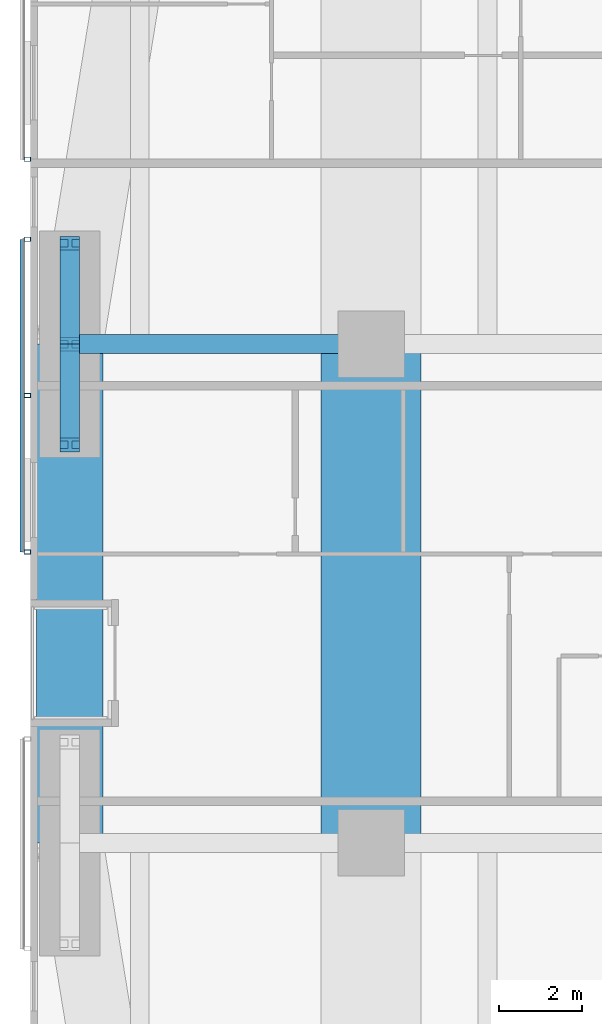
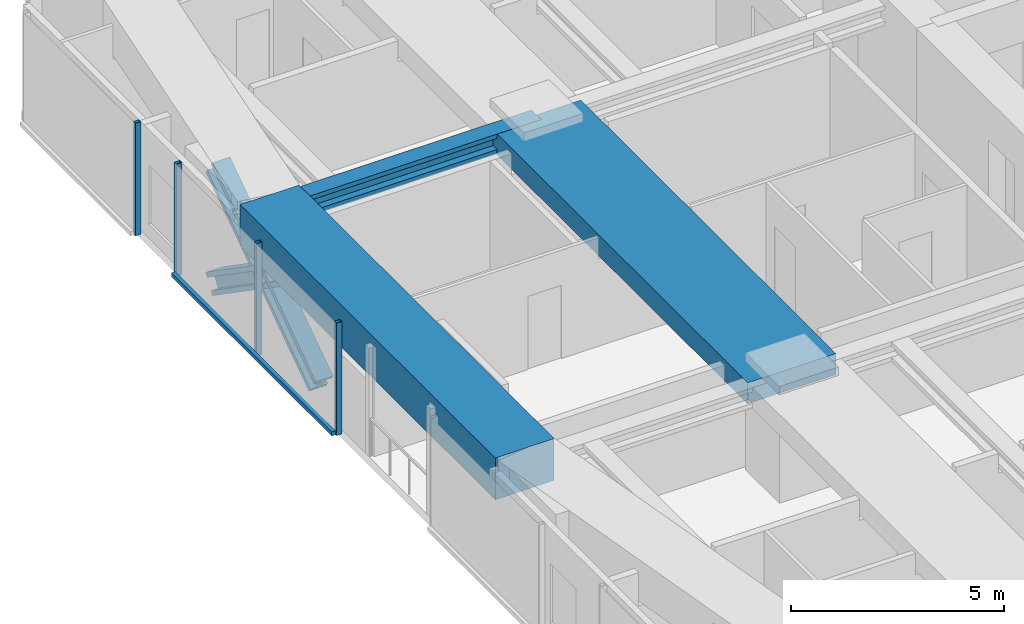
# One storey, part 6 of 23: 9 members, 3 beams, 2 elements without a shape of their own.
"""IFC4 building model written with IfcOpenShell, lengths in metres."""

from ifc_helpers import new_model, si_unit, direction, frame, origin, origin_2d, place, context, subcontext, project, spatial, rectangle, hollow_rectangle, i_section, extrude, material, material_profile, profile_set, type_object, element, aggregate, save


model = new_model("IFC4")

# Units and contexts
model_context = context("Model", 3, precision=1e-05, world=origin(), true_north=direction((0.0, 1.0)))
body_context = subcontext(model_context, "Body", "Model", "MODEL_VIEW")
ifc_project = project(units=[si_unit("LENGTHUNIT", "METRE"), si_unit("AREAUNIT", "SQUARE_METRE"), si_unit("VOLUMEUNIT", "CUBIC_METRE"), si_unit("PLANEANGLEUNIT", "RADIAN"), si_unit("MASSUNIT", "GRAM", prefix="KILO")], contexts=[model_context])

# Site, building, storey
site_placement = place(None, origin())
site = spatial("IfcSite", under=ifc_project, at=site_placement, CompositionType="ELEMENT")
building_placement = place(site_placement, origin())
building = spatial("IfcBuilding", under=site, at=building_placement, Name="Jalousie Tower", CompositionType="ELEMENT")
storey_placement = place(building_placement, frame((0.0, 0.0, 41.10009765625)))
storey = spatial("IfcBuildingStorey", under=building, at=storey_placement, Name="L10", CompositionType="ELEMENT", Elevation=41.10009765625)

# Beam
ifc_material_1 = material(Name="Steel ASTM A992 Grade 50", Category="steel")
ifc_material_profile_1 = material_profile(ifc_material_1, i_section(OverallWidth=0.45458984375, OverallDepth=0.569091796875, WebThickness=0.077880859375, FlangeThickness=0.124755859375, at=origin_2d()), Name="W14X730")
ifc_profile_set_1 = profile_set([ifc_material_profile_1], Name="Steel ASTM A992 Grade 50")
beam_type_1 = type_object("IfcBeamType", Name="LEAN COLLECTOR W14X730", PredefinedType="BEAM", material=ifc_profile_set_1)
beam_1_placement = place(storey_placement, frame((2.949951171875, 25.0, 2.825439453125), z_axis=(1.0, 0.0, 0.0), x_axis=(0.0, 1.0, 0.0)))
element("IfcBeam", 1, at=beam_1_placement, inside=storey, type_object=beam_type_1, Name="Lean collector under L11", PredefinedType="BEAM", context=body_context, shape_type="SweptSolid", body=[
    extrude(i_section(OverallWidth=0.45458984375, OverallDepth=0.569091796875, WebThickness=0.077880859375, FlangeThickness=0.124755859375, at=origin_2d()), origin(), (0.0, 0.0, 1.0), 7.25),
])

# Members
ifc_material_2 = material(Name="Steel ASTM A992 Grade 50", Category="steel")
ifc_material_profile_2 = material_profile(ifc_material_2, i_section(OverallWidth=0.472412109375, OverallDepth=0.5791015625, WebThickness=0.094970703125, FlangeThickness=0.1298828125, at=origin_2d()), Name="W14X808")
ifc_profile_set_2 = profile_set([ifc_material_profile_2], Name="Steel ASTM A992 Grade 50")
member_type_1 = type_object("IfcMemberType", Name="PERIMETER BRACE W14X808", PredefinedType="BRACE", material=ifc_profile_set_2)
for number, where, z_axis, x_axis, name in (
    (2, (2.949951171875, 22.574951171875, -0.60009765625), (0.0, 0.822800062329, 0.568330940062), (-1.0, 0.0, 0.0), "Perimeter brace 13 L10 part 1"),
    (3, (2.949951171875, 25.0, 1.074951171875), (0.0, 0.822800062329, 0.568330940062), (-1.0, 0.0, 0.0), "Perimeter brace 13 L10 part 2"),
    (4, (2.949951171875, 27.425048828125, -0.60009765625), (0.0, -0.822800062329, 0.568330940062), (1.0, 0.0, 0.0), "Perimeter brace 13 L10 part 3"),
    (5, (2.949951171875, 25.0, 1.074951171875), (0.0, -0.822800062329, 0.568330940062), (1.0, 0.0, 0.0), "Perimeter brace 13 L10 part 4"),
):
    element("IfcMember", number, at=place(storey_placement, frame(where, z_axis=z_axis, x_axis=x_axis)), inside=storey, type_object=member_type_1, Name=name, PredefinedType="BRACE", context=body_context, shape_type="SweptSolid", body=[
        extrude(i_section(OverallWidth=0.472412109375, OverallDepth=0.5791015625, WebThickness=0.094970703125, FlangeThickness=0.1298828125, at=origin_2d()), origin(), (0.0, 0.0, 1.0), 2.947265625),
    ])

# Beams
ifc_material_3 = material(Name="Concrete f'c 40 MPa", Category="concrete")
ifc_material_profile_3 = material_profile(ifc_material_3, rectangle(XDim=1.60009765625, YDim=1.199951171875, at=origin_2d()), Name="RC 1600x1200")
ifc_profile_set_3 = profile_set([ifc_material_profile_3], Name="Concrete f'c 40 MPa")
beam_type_2 = type_object("IfcBeamType", Name="RC BEAM 1600x1200", PredefinedType="BEAM", material=ifc_profile_set_3)
beam_2_placement = place(storey_placement, frame((2.949951171875, 25.0, 2.75), z_axis=(0.0, -1.0, 0.0), x_axis=(1.0, 0.0, 0.0)))
element("IfcBeam", 6, at=beam_2_placement, inside=storey, type_object=beam_type_2, Name="Edge band beam 13-14 under L11", PredefinedType="BEAM", context=body_context, shape_type="SweptSolid", body=[
    extrude(rectangle(XDim=1.60009765625, YDim=1.199951171875, at=origin_2d()), origin(), (0.0, 0.0, 1.0), 12.0),
])
ifc_material_4 = material(Name="Concrete f'c 40 MPa", Category="concrete")
ifc_material_profile_4 = material_profile(ifc_material_4, rectangle(XDim=2.39990234375, YDim=0.60009765625, at=origin_2d()), Name="RC 2400x600")
ifc_profile_set_4 = profile_set([ifc_material_profile_4], Name="Concrete f'c 40 MPa")
beam_type_3 = type_object("IfcBeamType", Name="RC BEAM 2400x600", PredefinedType="BEAM", material=ifc_profile_set_4)
beam_3_placement = place(storey_placement, frame((10.199951171875, 13.0, 2.809814453125), z_axis=(0.0, 1.0, 0.0), x_axis=(-1.0, 0.0, 0.0)))
element("IfcBeam", 7, at=beam_3_placement, inside=storey, type_object=beam_type_3, Name="Floor band beam under L11", PredefinedType="BEAM", context=body_context, shape_type="SweptSolid", body=[
    extrude(rectangle(XDim=2.39990234375, YDim=0.60009765625, at=origin_2d()), origin(), (0.0, 0.0, 1.0), 12.0),
])

# Curtain wall, member
ifc_material_5 = material(Name="Perforated aluminium sheet", Category="aluminium")
curtain_wall_type = type_object("IfcCurtainWallType", Name="SOLAR SCREEN SS-1", PredefinedType="USERDEFINED", material=ifc_material_5)
curtain_wall_1_placement = place(storey_placement, origin())
curtain_wall_1 = element("IfcCurtainWall", 8, at=curtain_wall_1_placement, inside=storey, type_object=curtain_wall_type, Name="Solar screen L10", ObjectType="SOLAR SCREEN SS-1", PredefinedType="USERDEFINED")
ifc_material_6 = material(Name="Steel ASTM A500 Grade C", Category="steel")
ifc_material_profile_5 = material_profile(ifc_material_6, hollow_rectangle(XDim=0.1015625, YDim=0.15234375, WallThickness=0.00634765625, at=origin_2d()), Name="HSS6X4X1/4")
ifc_profile_set_5 = profile_set([ifc_material_profile_5], Name="Steel ASTM A500 Grade C")
member_type_2 = type_object("IfcMemberType", Name="SOLAR SCREEN SS-1 MULLION", PredefinedType="MULLION", material=ifc_profile_set_5)
member_1_placement = place(storey_placement, frame((1.9287109375, 29.449951171875, -0.1201171875), z_axis=(0.0, 0.0, 1.0), x_axis=(0.0, -1.0, 0.0)))
member_1 = element("IfcMember", 9, at=member_1_placement, type_object=member_type_2, Name="SS1 post 2", PredefinedType="MULLION", context=body_context, shape_type="SweptSolid", body=[
    extrude(hollow_rectangle(XDim=0.1015625, YDim=0.15234375, WallThickness=0.00634765625, at=origin_2d()), origin(), (0.0, 0.0, 1.0), 3.22998046875),
])
aggregate(curtain_wall_1, [member_1])

# Curtain wall, members
curtain_wall_2_placement = place(storey_placement, origin())
curtain_wall_2 = element("IfcCurtainWall", 10, at=curtain_wall_2_placement, inside=storey, type_object=curtain_wall_type, Name="Solar screen L10", ObjectType="SOLAR SCREEN SS-1", PredefinedType="USERDEFINED")
member_2_placement = place(storey_placement, frame((1.9287109375, 27.52490234375, -0.1201171875), z_axis=(0.0, 0.0, 1.0), x_axis=(0.0, -1.0, 0.0)))
member_2 = element("IfcMember", 11, at=member_2_placement, type_object=member_type_2, Name="SS1 post 1", PredefinedType="MULLION", context=body_context, shape_type="SweptSolid", body=[
    extrude(hollow_rectangle(XDim=0.1015625, YDim=0.15234375, WallThickness=0.00634765625, at=origin_2d()), origin(), (0.0, 0.0, 1.0), 3.22998046875),
])
member_3_placement = place(storey_placement, frame((1.9287109375, 23.762451171875, -0.1201171875), z_axis=(0.0, 0.0, 1.0), x_axis=(0.0, -1.0, 0.0)))
member_3 = element("IfcMember", 12, at=member_3_placement, type_object=member_type_2, Name="SS1 post 2", PredefinedType="MULLION", context=body_context, shape_type="SweptSolid", body=[
    extrude(hollow_rectangle(XDim=0.1015625, YDim=0.15234375, WallThickness=0.00634765625, at=origin_2d()), origin(), (0.0, 0.0, 1.0), 3.22998046875),
])
member_4_placement = place(storey_placement, frame((1.9287109375, 20.0, -0.1201171875), z_axis=(0.0, 0.0, 1.0), x_axis=(0.0, -1.0, 0.0)))
member_4 = element("IfcMember", 13, at=member_4_placement, type_object=member_type_2, Name="SS1 post 3", PredefinedType="MULLION", context=body_context, shape_type="SweptSolid", body=[
    extrude(hollow_rectangle(XDim=0.1015625, YDim=0.15234375, WallThickness=0.00634765625, at=origin_2d()), origin(), (0.0, 0.0, 1.0), 3.22998046875),
])
ifc_material_7 = material(Name="Extruded aluminium screen rail", Category="aluminium")
ifc_material_profile_6 = material_profile(ifc_material_7, rectangle(XDim=0.1015625, YDim=0.1201171875, at=origin_2d()), Name="RAIL 102x120")
ifc_profile_set_6 = profile_set([ifc_material_profile_6], Name="Extruded aluminium screen rail")
member_type_3 = type_object("IfcMemberType", Name="SOLAR SCREEN SS-1 TRANSOM", PredefinedType="USERDEFINED", material=ifc_profile_set_6)
member_5_placement = place(storey_placement, frame((1.8017578125, 27.52490234375, -0.06005859375), z_axis=(0.0, -1.0, 0.0), x_axis=(1.0, 0.0, 0.0)))
member_5 = element("IfcMember", 14, at=member_5_placement, type_object=member_type_3, Name="SS1 rail", ObjectType="TRANSOM", PredefinedType="USERDEFINED", context=body_context, shape_type="SweptSolid", body=[
    extrude(rectangle(XDim=0.1015625, YDim=0.1201171875, at=origin_2d()), origin(), (0.0, 0.0, 1.0), 7.52490234375),
])
aggregate(curtain_wall_2, [member_2, member_3, member_4, member_5])

save(model, "model.ifc")
